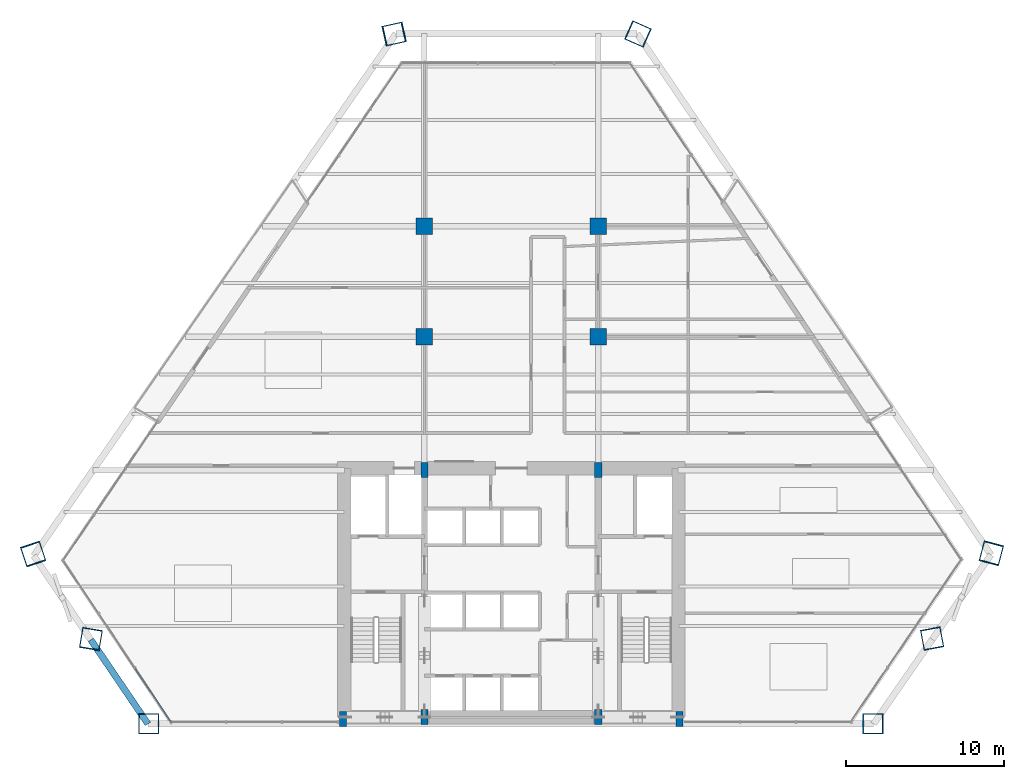
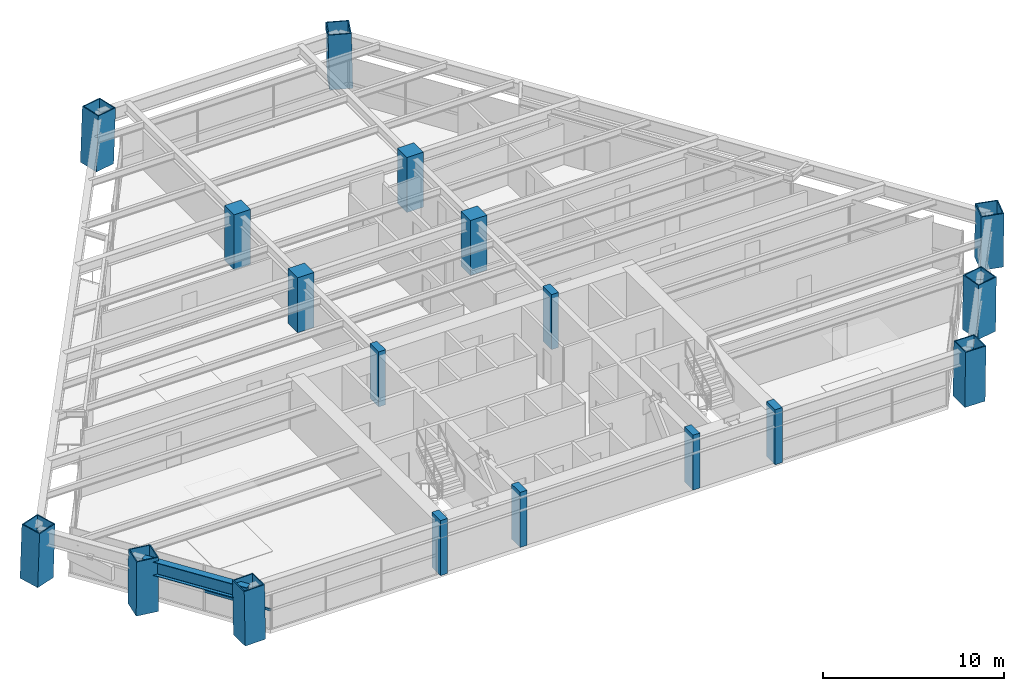
# One storey, part 1 of 14: 18 columns, 1 beam, 1 member, 1 element without a shape of its own.
"""IFC4 building model written with IfcOpenShell, lengths in metres."""

from ifc_helpers import new_model, si_unit, direction, frame, origin, origin_2d, place, context, subcontext, project, spatial, rectangle, hollow_rectangle, i_section, extrude, source, transform, mapped, material, material_profile, profile_set, type_object, type_shapes, element, aggregate, save


model = new_model("IFC4")

# Units and contexts
model_context = context("Model", 3, precision=1e-05, world=origin(), true_north=direction((0.0, 1.0)))
body_context = subcontext(model_context, "Body", "Model", "MODEL_VIEW")
ifc_project = project(units=[si_unit("LENGTHUNIT", "METRE"), si_unit("AREAUNIT", "SQUARE_METRE"), si_unit("VOLUMEUNIT", "CUBIC_METRE"), si_unit("PLANEANGLEUNIT", "RADIAN"), si_unit("MASSUNIT", "GRAM", prefix="KILO")], contexts=[model_context])

# Site, building, storey
site_placement = place(None, origin())
site = spatial("IfcSite", under=ifc_project, at=site_placement, CompositionType="ELEMENT")
building_placement = place(site_placement, origin())
building = spatial("IfcBuilding", under=site, at=building_placement, Name="Varnakhor Terracotta Tower", CompositionType="ELEMENT")
storey_placement = place(building_placement, frame((0.0, 0.0, 53.39990234375)))
storey = spatial("IfcBuildingStorey", under=building, at=storey_placement, Name="L12", CompositionType="ELEMENT", Elevation=53.39990234375)

# Columns
ifc_material_1 = material(Name="Concrete C50/60", Category="concrete")
ifc_material_profile_1 = material_profile(ifc_material_1, rectangle(XDim=0.449951171875, YDim=0.949951171875, at=origin_2d()), Name="RC PILASTER 950x450")
ifc_profile_set_1 = profile_set([ifc_material_profile_1], Name="Concrete C50/60")
column_type_1 = type_object("IfcColumnType", Name="COL-PIL-950x450", PredefinedType="PILASTER", material=ifc_profile_set_1)
shared_shape_1 = source(origin(), body_context, "Body", "SweptSolid", [
    extrude(rectangle(XDim=0.449951171875, YDim=0.949951171875, at=origin_2d()), origin(), (0.0, 0.0, 1.0), 3.7001953125),
])
for number, where, z_axis, x_axis, name in (
    (1, (-10.64990234375, 0.300048828125, 0.0), (0.0, 0.0, 1.0), (1.0, 0.0, 0.0), "L12 Core Pilaster CP1"),
    (2, (-5.5, 0.449951171875, 0.0), (0.0, 0.0, 1.0), (1.0, 0.0, 0.0), "L12 Core Pilaster CP2"),
    (3, (5.5, 0.449951171875, 0.0), (0.0, 0.0, 1.0), (1.0, 0.0, 0.0), "L12 Core Pilaster CP3"),
    (4, (10.64990234375, 0.300048828125, 0.0), (0.0, 0.0, 1.0), (1.0, 0.0, 0.0), "L12 Core Pilaster CP4"),
    (5, (-5.5, 16.050048828125, 0.0), (0.0, 0.0, 1.0), (1.0, 0.0, 0.0), "L12 Core Pilaster CP5"),
    (6, (5.5, 16.050048828125, 0.0), (0.0, 0.0, 1.0), (1.0, 0.0, 0.0), "L12 Core Pilaster CP6"),
):
    element("IfcColumn", number, at=place(storey_placement, frame(where, z_axis=z_axis, x_axis=x_axis)), inside=storey, type_object=column_type_1, Name=name, PredefinedType="PILASTER", context=body_context, shape_type="MappedRepresentation", body=[
        mapped(shared_shape_1, transform((0.0, 0.0, 0.0), scale=1.0)),
    ])
ifc_material_2 = material(Name="Steel S460", Category="steel")
ifc_material_profile_2 = material_profile(ifc_material_2, hollow_rectangle(XDim=1.300048828125, YDim=1.300048828125, WallThickness=0.06494140625, at=origin_2d()), Name="BOX 1300x1300x65")
ifc_profile_set_2 = profile_set([ifc_material_profile_2], Name="Steel S460")
column_type_2 = type_object("IfcColumnType", Name="COL-MEGA-1300", PredefinedType="COLUMN", material=ifc_profile_set_2)
shared_shape_2 = source(origin(), body_context, "Body", "SweptSolid", [
    extrude(hollow_rectangle(XDim=1.300048828125, YDim=1.300048828125, WallThickness=0.06494140625, at=origin_2d()), origin(), (0.0, 0.0, 1.0), 3.69189453125),
])
type_shapes(column_type_2, [shared_shape_2])
for number, where, z_axis, x_axis, name in (
    (7, (-22.932861328125, 0.0, 0.00439453125), (-0.017655977535, 0.0, 0.99984412108), (0.0, -1.0, 0.0), "L12 Perimeter Mega-Column M1"),
    (8, (22.865478515625, 0.0, 0.00439453125), (0.015143765859, 0.0, 0.999885326603), (0.0, 1.0, 0.0), "L12 Perimeter Mega-Column M2"),
    (9, (26.620849609375, 5.4091796875, 0.00439453125), (0.003108022374, -0.016598162038, 0.999857410441), (0.982916490593, 0.184052091864, 0.0), "L12 Perimeter Mega-Column M3"),
    (10, (-26.599365234375, 5.384765625, 0.00439453125), (-0.002909593747, -0.017523689612, 0.999842214835), (0.986494350468, -0.16379528838, 0.0), "L12 Perimeter Mega-Column M8"),
):
    element("IfcColumn", number, at=place(storey_placement, frame(where, z_axis=z_axis, x_axis=x_axis)), inside=storey, type_object=column_type_2, Name=name, PredefinedType="COLUMN", context=body_context, shape_type="MappedRepresentation", body=[
        mapped(shared_shape_2, transform((0.0, 0.0, 0.0), scale=1.0)),
    ])
shared_shape_3 = source(origin(), body_context, "Body", "SweptSolid", [
    extrude(hollow_rectangle(XDim=1.300048828125, YDim=1.300048828125, WallThickness=0.06494140625, at=origin_2d()), origin(), (0.0, 0.0, 1.0), 3.69384765625),
])
column_1_placement = place(storey_placement, frame((-30.26611328125, 10.76953125, 0.00439453125), z_axis=(0.011830529941, -0.0350289434, 0.999316272101), x_axis=(0.947424555375, 0.319979236627, 0.0)))
element("IfcColumn", 11, at=column_1_placement, inside=storey, type_object=column_type_2, Name="L12 Perimeter Mega-Column M7", PredefinedType="COLUMN", context=body_context, shape_type="MappedRepresentation", body=[
    mapped(shared_shape_3, transform((0.0, 0.0, 0.0), scale=1.0)),
])
shared_shape_4 = source(origin(), body_context, "Body", "SweptSolid", [
    extrude(hollow_rectangle(XDim=1.300048828125, YDim=1.300048828125, WallThickness=0.06494140625, at=origin_2d()), origin(), (0.0, 0.0, 1.0), 3.693603515625),
])
column_2_placement = place(storey_placement, frame((30.3759765625, 10.818359375, 0.00439453125), z_axis=(-0.008791131714, -0.033115466082, 0.999412868593), x_axis=(0.966522512537, -0.256581824686, 0.0)))
element("IfcColumn", 12, at=column_2_placement, inside=storey, type_object=column_type_2, Name="L12 Perimeter Mega-Column M4", PredefinedType="COLUMN", context=body_context, shape_type="MappedRepresentation", body=[
    mapped(shared_shape_4, transform((0.0, 0.0, 0.0), scale=1.0)),
])
ifc_material_3 = material(Name="Concrete C60/75", Category="concrete")
ifc_material_profile_3 = material_profile(ifc_material_3, rectangle(XDim=1.050048828125, YDim=1.050048828125, at=origin_2d()), Name="RC 1050x1050")
ifc_profile_set_3 = profile_set([ifc_material_profile_3], Name="Concrete C60/75")
column_type_3 = type_object("IfcColumnType", Name="COL-RC-1050", PredefinedType="COLUMN", material=ifc_profile_set_3)
shared_shape_5 = source(origin(), body_context, "Body", "SweptSolid", [
    extrude(rectangle(XDim=1.050048828125, YDim=1.050048828125, at=origin_2d()), origin(), (0.0, 0.0, 1.0), 3.7001953125),
])
for number, where, z_axis, x_axis, name in (
    (13, (-5.5, 24.5, 0.0), (0.0, 0.0, 1.0), (1.0, 0.0, 0.0), "L12 Interior Tower Column IC1"),
    (14, (5.5, 24.5, 0.0), (0.0, 0.0, 1.0), (1.0, 0.0, 0.0), "L12 Interior Tower Column IC2"),
    (15, (-5.5, 31.5, 0.0), (0.0, 0.0, 1.0), (1.0, 0.0, 0.0), "L12 Interior Tower Column IC3"),
    (16, (5.5, 31.5, 0.0), (0.0, 0.0, 1.0), (1.0, 0.0, 0.0), "L12 Interior Tower Column IC4"),
):
    element("IfcColumn", number, at=place(storey_placement, frame(where, z_axis=z_axis, x_axis=x_axis)), inside=storey, type_object=column_type_3, Name=name, PredefinedType="COLUMN", context=body_context, shape_type="MappedRepresentation", body=[
        mapped(shared_shape_5, transform((0.0, 0.0, 0.0), scale=1.0)),
    ])
shared_shape_6 = source(origin(), body_context, "Body", "SweptSolid", [
    extrude(hollow_rectangle(XDim=1.300048828125, YDim=1.300048828125, WallThickness=0.06494140625, at=origin_2d()), origin(), (0.0, 0.0, 1.0), 3.6943359375),
])
column_3_placement = place(storey_placement, frame((-7.441650390625, 43.647705078125, 0.00439453125), z_axis=(0.039451861235, 0.008789108114, 0.999182817218), x_axis=(-0.217449767564, 0.976071513049, 0.0)))
element("IfcColumn", 17, at=column_3_placement, inside=storey, type_object=column_type_2, Name="L12 Perimeter Mega-Column M6", PredefinedType="COLUMN", context=body_context, shape_type="MappedRepresentation", body=[
    mapped(shared_shape_6, transform((0.0, 0.0, 0.0), scale=1.0)),
])
shared_shape_7 = source(origin(), body_context, "Body", "SweptSolid", [
    extrude(hollow_rectangle(XDim=1.300048828125, YDim=1.300048828125, WallThickness=0.06494140625, at=origin_2d()), origin(), (0.0, 0.0, 1.0), 3.6923828125),
])
column_4_placement = place(storey_placement, frame((8.021728515625, 43.647705078125, 0.00439453125), z_axis=(-0.019836598368, 0.008794225277, 0.999764557767), x_axis=(-0.405290075292, -0.914188139756, 0.0)))
element("IfcColumn", 18, at=column_4_placement, inside=storey, type_object=column_type_2, Name="L12 Perimeter Mega-Column M5", PredefinedType="COLUMN", context=body_context, shape_type="MappedRepresentation", body=[
    mapped(shared_shape_7, transform((0.0, 0.0, 0.0), scale=1.0)),
])

# Beam
ifc_material_4 = material(Name="Steel S355", Category="steel")
ifc_material_profile_4 = material_profile(ifc_material_4, i_section(OverallWidth=0.41796875, OverallDepth=0.927001953125, WebThickness=0.01904296875, FlangeThickness=0.031982421875, FilletRadius=0.01806640625, at=origin_2d()), Name="W36X231")
ifc_profile_set_4 = profile_set([ifc_material_profile_4], Name="Steel S355")
beam_type = type_object("IfcBeamType", Name="BM-W36X231", PredefinedType="BEAM", material=ifc_profile_set_4)
shared_shape_8 = source(origin(), body_context, "Body", "SweptSolid", [
    extrude(i_section(OverallWidth=0.41796875, OverallDepth=0.927001953125, WebThickness=0.01904296875, FlangeThickness=0.031982421875, FilletRadius=0.01806640625, at=origin_2d()), origin(), (0.0, 0.0, 1.0), 6.430419921875),
])
beam_placement = place(storey_placement, frame((-26.610107421875, 5.320068359375, 2.986572265625), z_axis=(0.561715869327, -0.827330213485, 0.0), x_axis=(0.827330213485, 0.561715869327, 0.0)))
element("IfcBeam", 19, at=beam_placement, inside=storey, type_object=beam_type, Name="L12 Perimeter Spandrel 8", PredefinedType="BEAM", context=body_context, shape_type="MappedRepresentation", body=[
    mapped(shared_shape_8, transform((0.0, 0.0, 0.0), scale=1.0)),
])

# Curtain wall, member
ifc_material_5 = material(Name="Anodised Aluminium Curtain Wall System", Category="aluminium")
curtain_wall_type = type_object("IfcCurtainWallType", Name="CW-SYS-LOW-OFFICE", PredefinedType="NOTDEFINED", material=ifc_material_5)
curtain_wall_placement = place(storey_placement, origin())
curtain_wall = element("IfcCurtainWall", 20, at=curtain_wall_placement, inside=storey, type_object=curtain_wall_type, Name="L12 Facet Curtain Wall 6", PredefinedType="NOTDEFINED")
ifc_material_6 = material(Name="Anodised Aluminium 6063-T6", Category="aluminium")
ifc_material_profile_5 = material_profile(ifc_material_6, rectangle(XDim=0.074951171875, YDim=0.1650390625, at=origin_2d()), Name="ALU TRANSOM 75x165")
ifc_profile_set_5 = profile_set([ifc_material_profile_5], Name="Anodised Aluminium 6063-T6")
member_type = type_object("IfcMemberType", Name="CWT-02", PredefinedType="USERDEFINED", material=ifc_profile_set_5)
shared_shape_9 = source(origin(), body_context, "Body", "SweptSolid", [
    extrude(rectangle(XDim=0.074951171875, YDim=0.1650390625, at=origin_2d()), origin(), (0.0, 0.0, 1.0), 4.1259765625),
])
member_placement = place(storey_placement, frame((-21.512939453125, 0.091552734375, 1.272705078125), z_axis=(-0.554850391557, 0.831950144533, 0.0), x_axis=(-0.831950144533, -0.554850391557, 0.0)))
member = element("IfcMember", 21, at=member_placement, type_object=member_type, Name="L12 Facet Curtain Wall 6 Transom 1", ObjectType="TRANSOM", PredefinedType="USERDEFINED", context=body_context, shape_type="MappedRepresentation", body=[
    mapped(shared_shape_9, transform((0.0, 0.0, 0.0), scale=1.0)),
])
aggregate(curtain_wall, [member])

save(model, "model.ifc")
